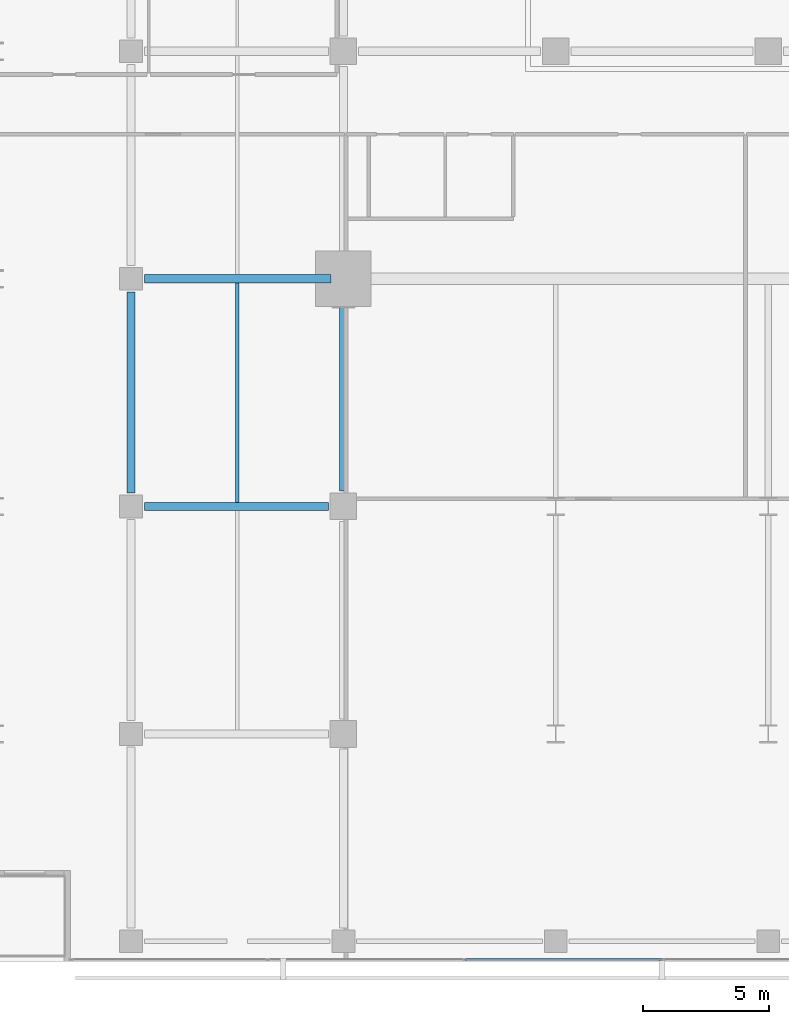
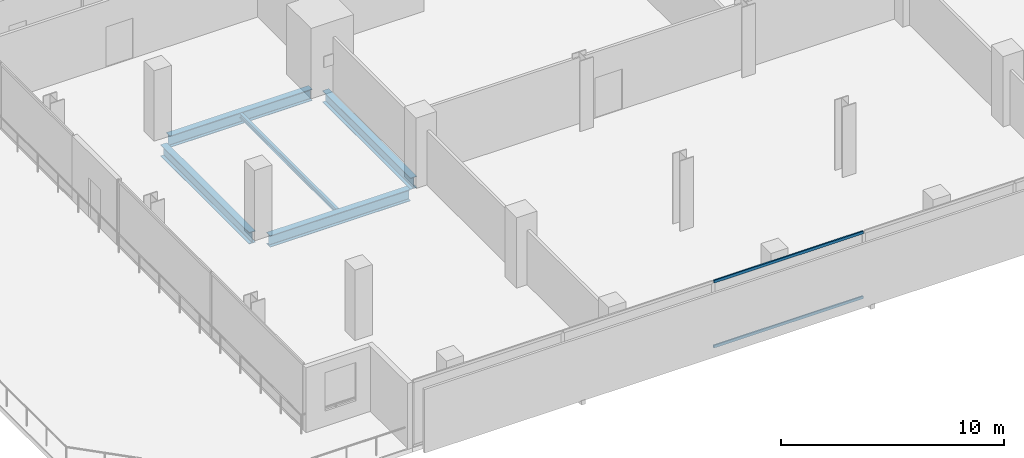
# One storey, part 7 of 31: 5 beams, 2 members, 1 element without a shape of its own.
"""IFC4 building model written with IfcOpenShell, lengths in metres."""

from ifc_helpers import new_model, si_unit, direction, frame, origin, origin_2d, place, context, subcontext, project, spatial, hollow_rectangle, i_section, extrude, material, layer, layer_set, material_profile, profile_set, type_object, element, aggregate, save


model = new_model("IFC4")

# Units and contexts
model_context = context("Model", 3, precision=1e-05, world=origin(), true_north=direction((0.0, 1.0)))
body_context = subcontext(model_context, "Body", "Model", "MODEL_VIEW")
ifc_project = project(units=[si_unit("LENGTHUNIT", "METRE"), si_unit("AREAUNIT", "SQUARE_METRE"), si_unit("VOLUMEUNIT", "CUBIC_METRE"), si_unit("PLANEANGLEUNIT", "RADIAN"), si_unit("MASSUNIT", "GRAM", prefix="KILO")], contexts=[model_context])

# Site, building, storey
site_placement = place(None, origin())
site = spatial("IfcSite", under=ifc_project, at=site_placement, CompositionType="ELEMENT")
building_placement = place(site_placement, origin())
building = spatial("IfcBuilding", under=site, at=building_placement, Name="Maruvema Waterfront Hotel and Observation Tower", CompositionType="ELEMENT")
storey_placement = place(building_placement, frame((0.0, 0.0, 26.949951171875)))
storey = spatial("IfcBuildingStorey", under=building, at=storey_placement, Name="L05", CompositionType="ELEMENT", Elevation=26.949951171875)

# Curtain wall, members
ifc_material_1 = material(Name="Anodised bronze aluminium and solar-control low-E IGU", Category="aluminium")
ifc_layer = layer(ifc_material_1, 0.159912109375, Name="Zone 1 Bronze Inner Thermal Curtain Wall System CW-02")
ifc_layer_set = layer_set([ifc_layer], Name="Anodised bronze aluminium and solar-control low-E IGU")
curtain_wall_type = type_object("IfcCurtainWallType", Name="Zone 1 Bronze Inner Thermal Curtain Wall System CW-02", PredefinedType="USERDEFINED", material=ifc_layer_set)
curtain_wall_placement = place(storey_placement, origin())
curtain_wall = element("IfcCurtainWall", 1, at=curtain_wall_placement, inside=storey, type_object=curtain_wall_type, Name="L05 Curtain Wall CW-L05-S", ObjectType="UNITISED CURTAIN WALL", PredefinedType="USERDEFINED")
ifc_material_2 = material(Name="Anodised architectural bronze aluminium", Category="aluminium")
ifc_material_profile_1 = material_profile(ifc_material_2, hollow_rectangle(XDim=0.070068359375, YDim=0.14990234375, WallThickness=0.00390625, at=origin_2d()), Name="ALU-T70x150")
ifc_profile_set_1 = profile_set([ifc_material_profile_1], Name="Anodised architectural bronze aluminium")
member_type = type_object("IfcMemberType", Name="Curtain Wall Horizontal Transom ALU-T70x150", PredefinedType="USERDEFINED", material=ifc_profile_set_1)
member_1_placement = place(storey_placement, frame((30.030029296875, 0.080078125, 0.030029296875), z_axis=(1.0, 0.0, 0.0), x_axis=(0.0, 1.0, 0.0)))
member_1 = element("IfcMember", 2, at=member_1_placement, type_object=member_type, Name="CW-02 transom 3.1", ObjectType="TRANSOM", PredefinedType="USERDEFINED", context=body_context, shape_type="SweptSolid", body=[
    extrude(hollow_rectangle(XDim=0.070068359375, YDim=0.14990234375, WallThickness=0.00390625, at=origin_2d()), origin(), (0.0, 0.0, 1.0), 7.739990234375),
])
member_2_placement = place(storey_placement, frame((30.030029296875, 0.080078125, 3.580078125), z_axis=(1.0, 0.0, 0.0), x_axis=(0.0, 1.0, 0.0)))
member_2 = element("IfcMember", 3, at=member_2_placement, type_object=member_type, Name="CW-02 transom 3.2", ObjectType="TRANSOM", PredefinedType="USERDEFINED", context=body_context, shape_type="SweptSolid", body=[
    extrude(hollow_rectangle(XDim=0.070068359375, YDim=0.14990234375, WallThickness=0.00390625, at=origin_2d()), origin(), (0.0, 0.0, 1.0), 7.739990234375),
])
aggregate(curtain_wall, [member_1, member_2])

# Beams
ifc_material_3 = material(Name="Steel ASTM A572 Grade 50", Category="steel")
ifc_material_profile_2 = material_profile(ifc_material_3, i_section(OverallWidth=0.3291015625, OverallDepth=0.635009765625, WebThickness=0.017822265625, FlangeThickness=0.031005859375, FilletRadius=0.01806640625, at=origin_2d()), Name="W610x241.0")
ifc_profile_set_2 = profile_set([ifc_material_profile_2], Name="Steel ASTM A572 Grade 50")
beam_type_1 = type_object("IfcBeamType", Name="Primary Floor Girder W610x241.0", PredefinedType="BEAM", material=ifc_profile_set_2)
beam_1_placement = place(storey_placement, frame((17.324951171875, 18.0, -0.557373046875), z_axis=(1.0, 0.0, 0.0), x_axis=(0.0, 1.0, 0.0)))
element("IfcBeam", 4, at=beam_1_placement, inside=storey, type_object=beam_type_1, Name="L05 Floor Girder EW-10", PredefinedType="BEAM", context=body_context, shape_type="SweptSolid", body=[
    extrude(i_section(OverallWidth=0.3291015625, OverallDepth=0.635009765625, WebThickness=0.017822265625, FlangeThickness=0.031005859375, FilletRadius=0.01806640625, at=origin_2d()), origin(), (0.0, 0.0, 1.0), 7.275146484375),
])
beam_2_placement = place(storey_placement, frame((17.324951171875, 27.0, -0.557373046875), z_axis=(1.0, 0.0, 0.0), x_axis=(0.0, 1.0, 0.0)))
element("IfcBeam", 5, at=beam_2_placement, inside=storey, type_object=beam_type_1, Name="L05 Floor Girder EW-12", PredefinedType="BEAM", context=body_context, shape_type="SweptSolid", body=[
    extrude(i_section(OverallWidth=0.3291015625, OverallDepth=0.635009765625, WebThickness=0.017822265625, FlangeThickness=0.031005859375, FilletRadius=0.01806640625, at=origin_2d()), origin(), (0.0, 0.0, 1.0), 7.375),
])
beam_3_placement = place(storey_placement, frame((16.800048828125, 18.52490234375, -0.557373046875), z_axis=(0.0, 1.0, 0.0), x_axis=(-1.0, 0.0, 0.0)))
element("IfcBeam", 6, at=beam_3_placement, inside=storey, type_object=beam_type_1, Name="L05 Floor Girder NS-03", PredefinedType="BEAM", context=body_context, shape_type="SweptSolid", body=[
    extrude(i_section(OverallWidth=0.3291015625, OverallDepth=0.635009765625, WebThickness=0.017822265625, FlangeThickness=0.031005859375, FilletRadius=0.01806640625, at=origin_2d()), origin(), (0.0, 0.0, 1.0), 7.9501953125),
])
beam_4_placement = place(storey_placement, frame((25.199951171875, 18.60009765625, -0.557373046875), z_axis=(0.0, 1.0, 0.0), x_axis=(-1.0, 0.0, 0.0)))
element("IfcBeam", 7, at=beam_4_placement, inside=storey, type_object=beam_type_1, Name="L05 Floor Girder NS-09", PredefinedType="BEAM", context=body_context, shape_type="SweptSolid", body=[
    extrude(i_section(OverallWidth=0.3291015625, OverallDepth=0.635009765625, WebThickness=0.017822265625, FlangeThickness=0.031005859375, FilletRadius=0.01806640625, at=origin_2d()), origin(), (0.0, 0.0, 1.0), 7.89990234375),
])
ifc_material_4 = material(Name="Steel ASTM A572 Grade 50", Category="steel")
ifc_material_profile_3 = material_profile(ifc_material_4, i_section(OverallWidth=0.14599609375, OverallDepth=0.258056640625, WebThickness=0.006103515625, FlangeThickness=0.009033203125, FilletRadius=0.012939453125, at=origin_2d()), Name="W250x32.7")
ifc_profile_set_3 = profile_set([ifc_material_profile_3], Name="Steel ASTM A572 Grade 50")
beam_type_2 = type_object("IfcBeamType", Name="Secondary Floor Joist W250x32.7", PredefinedType="JOIST", material=ifc_profile_set_3)
beam_5_placement = place(storey_placement, frame((21.0, 18.16455078125, -0.368896484375), z_axis=(0.0, 1.0, 0.0), x_axis=(-1.0, 0.0, 0.0)))
element("IfcBeam", 8, at=beam_5_placement, inside=storey, type_object=beam_type_2, Name="L05 Secondary Floor Joist JS-02", PredefinedType="JOIST", context=body_context, shape_type="SweptSolid", body=[
    extrude(i_section(OverallWidth=0.14599609375, OverallDepth=0.258056640625, WebThickness=0.006103515625, FlangeThickness=0.009033203125, FilletRadius=0.012939453125, at=origin_2d()), origin(), (0.0, 0.0, 1.0), 8.6708984375),
])

save(model, "model.ifc")
